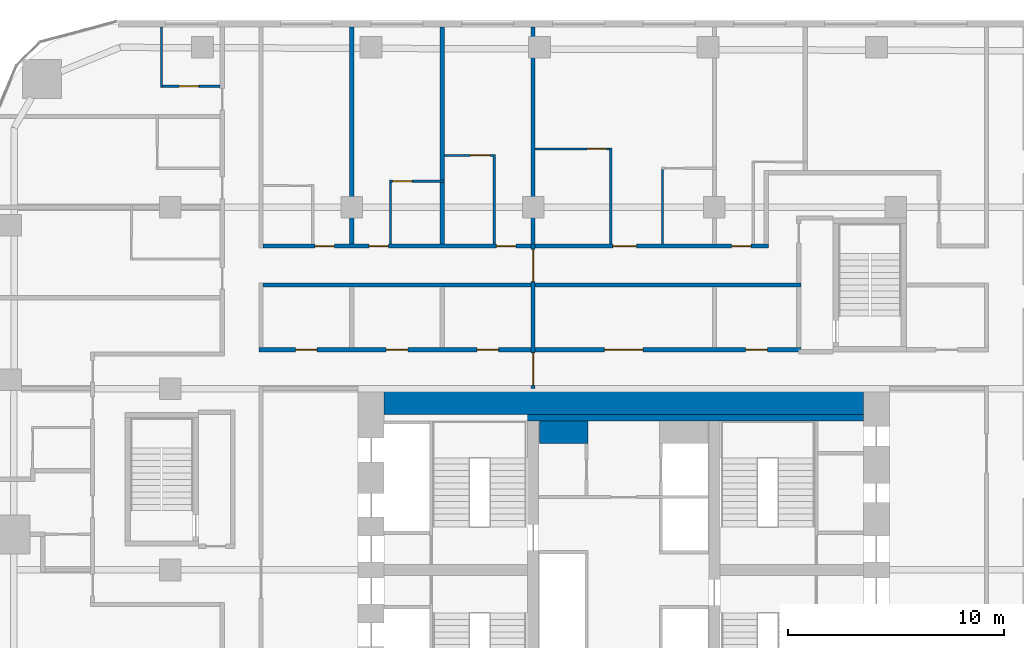
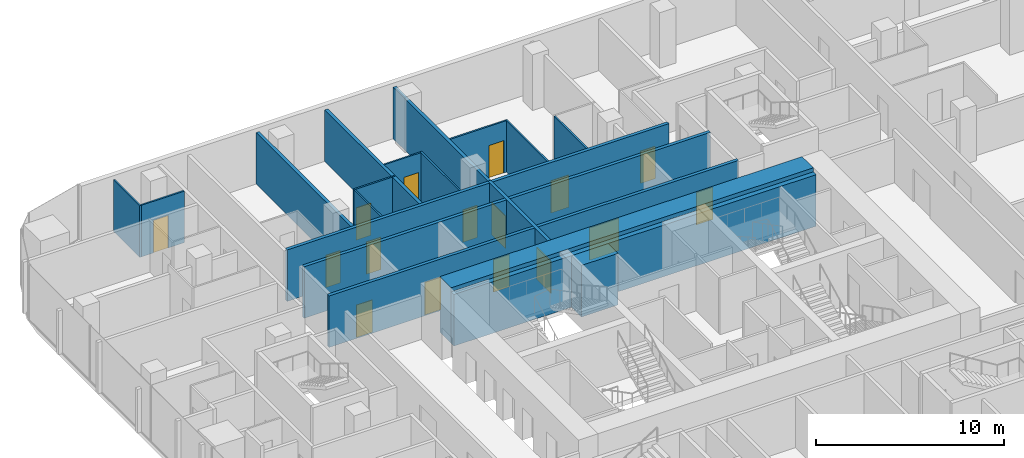
# One storey, part 22 of 26: 19 walls, 16 doors, 16 openings.
"""IFC4 building model written with IfcOpenShell, lengths in metres."""

from ifc_helpers import new_model, si_unit, direction, frame, frame_2d, origin, place, context, subcontext, project, spatial, rectangle, extrude, material, layer, layer_set, type_object, element, fill, save


model = new_model("IFC4")

# Units and contexts
model_context = context("Model", 3, precision=1e-05, world=origin(), true_north=direction((0.0, 1.0)))
body_context = subcontext(model_context, "Body", "Model", "MODEL_VIEW")
ifc_project = project(units=[si_unit("LENGTHUNIT", "METRE"), si_unit("AREAUNIT", "SQUARE_METRE"), si_unit("VOLUMEUNIT", "CUBIC_METRE"), si_unit("PLANEANGLEUNIT", "RADIAN"), si_unit("MASSUNIT", "GRAM", prefix="KILO")], contexts=[model_context])

# Site, building, storey
site_placement = place(None, origin())
site = spatial("IfcSite", under=ifc_project, at=site_placement, CompositionType="ELEMENT")
building_placement = place(site_placement, origin())
building = spatial("IfcBuilding", under=site, at=building_placement, Name="Marenta Gate Hotel Tower", CompositionType="ELEMENT")
storey_placement = place(building_placement, frame((0.0, 0.0, 58.10009765625)))
storey = spatial("IfcBuildingStorey", under=building, at=storey_placement, Name="L12", CompositionType="ELEMENT", Elevation=58.10009765625)

# Wall, openings, doors
ifc_material_1 = material(Name="Concrete blockwork", Category="masonry")
ifc_layer_1 = layer(ifc_material_1, 0.199951171875)
ifc_layer_set_1 = layer_set([ifc_layer_1], Name="Concrete blockwork")
wall_type_1 = type_object("IfcWallType", Name="Compartment wall 200 REI 180", PredefinedType="PARTITIONING", material=ifc_layer_set_1)
wall_1_placement = place(storey_placement, frame((-4.199951171875, 16.800048828125, 0.0), z_axis=(0.0, 0.0, 1.0), x_axis=(0.0, 1.0, 0.0)))
wall_1 = element("IfcWall", 1, at=wall_1_placement, inside=storey, type_object=wall_type_1, Name="L12-PTN-W077", PredefinedType="PARTITIONING", context=body_context, shape_type="SweptSolid", body=[
    extrude(rectangle(XDim=6.699951171875, YDim=0.199951171875, at=frame_2d((3.35009765625, 0.0))), origin(), (0.0, 0.0, 1.0), 3.33984375),
])
opening_1_placement = place(wall_1_placement, frame((0.14990234375, 0.0, 0.0)))
opening_1 = element("IfcOpeningElement", 2, at=opening_1_placement, cuts=wall_1, Name="Opening G04-FD1", PredefinedType="OPENING", context=body_context, shape_type="SweptSolid", body=[
    extrude(rectangle(XDim=1.5, YDim=2.10009765625, at=frame_2d((0.75, 1.050048828125))), frame((0.0, 0.10009765625, 0.0), z_axis=(0.0, -1.0, 0.0), x_axis=(1.0, 0.0, 0.0)), (0.0, 0.0, 1.0), 0.199951171875),
])
opening_2_placement = place(wall_1_placement, frame((4.949951171875, 0.0, 0.0)))
opening_2 = element("IfcOpeningElement", 3, at=opening_2_placement, cuts=wall_1, Name="Opening G04-FD2", PredefinedType="OPENING", context=body_context, shape_type="SweptSolid", body=[
    extrude(rectangle(XDim=1.5, YDim=2.10009765625, at=frame_2d((0.75, 1.050048828125))), frame((0.0, 0.10009765625, 0.0), z_axis=(0.0, -1.0, 0.0), x_axis=(1.0, 0.0, 0.0)), (0.0, 0.0, 1.0), 0.199951171875),
])
ifc_material_2 = material(Name="Hollow steel door set", Category="steel")
door_type_1 = type_object("IfcDoorType", Name="Compartment fire door 1500x2100 EI 60", OperationType="DOUBLE_DOOR_DOUBLE_SWING", PredefinedType="DOOR", material=ifc_material_2)
door_1_placement = place(opening_1_placement, origin())
door_1 = element("IfcDoor", 4, at=door_1_placement, inside=storey, type_object=door_type_1, Name="L12-PD-FD01", OperationType="DOUBLE_DOOR_DOUBLE_SWING", OverallHeight=2.10009765625, OverallWidth=1.5, PredefinedType="DOOR", context=body_context, shape_type="SweptSolid", body=[
    extrude(rectangle(XDim=1.5, YDim=2.10009765625, at=frame_2d((0.75, 1.050048828125))), frame((0.0, 0.02490234375, 0.0), z_axis=(0.0, -1.0, 0.0), x_axis=(1.0, 0.0, 0.0)), (0.0, 0.0, 1.0), 0.050048828125),
])
fill(opening_1, door_1)
door_2_placement = place(opening_2_placement, origin())
door_2 = element("IfcDoor", 5, at=door_2_placement, inside=storey, type_object=door_type_1, Name="L12-PD-FD02", OperationType="DOUBLE_DOOR_DOUBLE_SWING", OverallHeight=2.10009765625, OverallWidth=1.5, PredefinedType="DOOR", context=body_context, shape_type="SweptSolid", body=[
    extrude(rectangle(XDim=1.5, YDim=2.10009765625, at=frame_2d((0.75, 1.050048828125))), frame((0.0, 0.02490234375, 0.0), z_axis=(0.0, -1.0, 0.0), x_axis=(1.0, 0.0, 0.0)), (0.0, 0.0, 1.0), 0.050048828125),
])
fill(opening_2, door_2)

# Walls
wall_2_placement = place(storey_placement, frame((-4.199951171875, 23.5, 0.0), z_axis=(0.0, 0.0, 1.0), x_axis=(0.0, 1.0, 0.0)))
element("IfcWall", 6, at=wall_2_placement, inside=storey, type_object=wall_type_1, Name="L12-PTN-W078", PredefinedType="PARTITIONING", context=body_context, shape_type="SweptSolid", body=[
    extrude(rectangle(XDim=10.0400390625, YDim=0.199951171875, at=frame_2d((5.02001953125, 0.0))), origin(), (0.0, 0.0, 1.0), 3.33984375),
])
ifc_material_3 = material(Name="Concrete C40", Category="concrete")
ifc_layer_2 = layer(ifc_material_3, 0.300048828125)
ifc_layer_set_2 = layer_set([ifc_layer_2], Name="Concrete C40")
wall_type_2 = type_object("IfcWallType", Name="Core lining wall 300 REI 180", PredefinedType="PARTITIONING", material=ifc_layer_set_2)
wall_3_placement = place(storey_placement, frame((-11.10009765625, 15.449951171875, 0.0), z_axis=(0.0, 0.0, 1.0), x_axis=(1.0, 0.0, 0.0)))
element("IfcWall", 7, at=wall_3_placement, inside=storey, type_object=wall_type_2, Name="L12-CP-LN-N", PredefinedType="PARTITIONING", context=body_context, shape_type="SweptSolid", body=[
    extrude(rectangle(XDim=22.2001953125, YDim=0.300048828125, at=frame_2d((11.10009765625, 0.0))), origin(), (0.0, 0.0, 1.0), 3.33984375),
])
ifc_material_4 = material(Name="Concrete blockwork", Category="masonry")
ifc_layer_3 = layer(ifc_material_4, 1.050048828125)
ifc_layer_set_3 = layer_set([ifc_layer_3], Name="Concrete blockwork")
wall_type_3 = type_object("IfcWallType", Name="Core room partition 1050 REI 180", PredefinedType="PARTITIONING", material=ifc_layer_set_3)
wall_4_placement = place(storey_placement, frame((-3.89990234375, 14.77490234375, 0.0), z_axis=(0.0, 0.0, 1.0), x_axis=(1.0, 0.0, 0.0)))
element("IfcWall", 8, at=wall_4_placement, inside=storey, type_object=wall_type_3, Name="L12-CP-CW-W-riser-N", PredefinedType="PARTITIONING", context=body_context, shape_type="SweptSolid", body=[
    extrude(rectangle(XDim=2.25, YDim=1.050048828125, at=frame_2d((1.125, 0.0))), origin(), (0.0, 0.0, 1.0), 3.33984375),
])
ifc_material_5 = material(Name="Concrete C80", Category="concrete")
ifc_layer_4 = layer(ifc_material_5, 1.199951171875)
ifc_layer_set_4 = layer_set([ifc_layer_4], Name="Concrete C80")
wall_type_4 = type_object("IfcWallType", Name="Core wall 1200 C80", PredefinedType="SHEAR", material=ifc_layer_set_4)
wall_5_placement = place(storey_placement, frame((-11.10009765625, 16.199951171875, 0.0), z_axis=(0.0, 0.0, 1.0), x_axis=(1.0, 0.0, 0.0)))
element("IfcWall", 9, at=wall_5_placement, inside=storey, type_object=wall_type_4, Name="L12-CORE-N", PredefinedType="SHEAR", context=body_context, shape_type="SweptSolid", body=[
    extrude(rectangle(XDim=22.2001953125, YDim=1.199951171875, at=frame_2d((11.10009765625, 0.0))), origin(), (0.0, 0.0, 1.0), 3.599853515625),
])

# Wall, openings, doors
ifc_material_6 = material(Name="Concrete blockwork", Category="masonry")
ifc_layer_5 = layer(ifc_material_6, 0.199951171875)
ifc_layer_set_5 = layer_set([ifc_layer_5], Name="Concrete blockwork")
wall_type_5 = type_object("IfcWallType", Name="Room corridor wall 200 EI 120", PredefinedType="PARTITIONING", material=ifc_layer_set_5)
wall_6_placement = place(storey_placement, frame((-16.89990234375, 18.60009765625, 0.0), z_axis=(0.0, 0.0, 1.0), x_axis=(1.0, 0.0, 0.0)))
wall_6 = element("IfcWall", 10, at=wall_6_placement, inside=storey, type_object=wall_type_5, Name="L12-PTN-W120", PredefinedType="PARTITIONING", context=body_context, shape_type="SweptSolid", body=[
    extrude(rectangle(XDim=25.099853515625, YDim=0.199951171875, at=frame_2d((12.5498046875, 0.0))), origin(), (0.0, 0.0, 1.0), 3.33984375),
])
opening_3_placement = place(wall_6_placement, frame((1.699951171875, 0.0, 0.0)))
opening_3 = element("IfcOpeningElement", 11, at=opening_3_placement, cuts=wall_6, Name="Opening G04-01", PredefinedType="OPENING", context=body_context, shape_type="SweptSolid", body=[
    extrude(rectangle(XDim=1.0, YDim=2.10009765625, at=frame_2d((0.5, 1.050048828125))), frame((0.0, 0.10009765625, 0.0), z_axis=(0.0, -1.0, 0.0), x_axis=(1.0, 0.0, 0.0)), (0.0, 0.0, 1.0), 0.199951171875),
])
opening_4_placement = place(wall_6_placement, frame((16.0, 0.0, 0.0)))
opening_4 = element("IfcOpeningElement", 12, at=opening_4_placement, cuts=wall_6, Name="Opening G04-02", PredefinedType="OPENING", context=body_context, shape_type="SweptSolid", body=[
    extrude(rectangle(XDim=1.800048828125, YDim=2.10009765625, at=frame_2d((0.89990234375, 1.050048828125))), frame((0.0, 0.10009765625, 0.0), z_axis=(0.0, -1.0, 0.0), x_axis=(1.0, 0.0, 0.0)), (0.0, 0.0, 1.0), 0.199951171875),
])
opening_5_placement = place(wall_6_placement, frame((22.550048828125, 0.0, 0.0)))
opening_5 = element("IfcOpeningElement", 13, at=opening_5_placement, cuts=wall_6, Name="Opening G04-03", PredefinedType="OPENING", context=body_context, shape_type="SweptSolid", body=[
    extrude(rectangle(XDim=1.0, YDim=2.10009765625, at=frame_2d((0.5, 1.050048828125))), frame((0.0, 0.10009765625, 0.0), z_axis=(0.0, -1.0, 0.0), x_axis=(1.0, 0.0, 0.0)), (0.0, 0.0, 1.0), 0.199951171875),
])
opening_6_placement = place(wall_6_placement, frame((5.89990234375, 0.0, 0.0)))
opening_6 = element("IfcOpeningElement", 14, at=opening_6_placement, cuts=wall_6, Name="Opening G04-78", PredefinedType="OPENING", context=body_context, shape_type="SweptSolid", body=[
    extrude(rectangle(XDim=1.0, YDim=2.10009765625, at=frame_2d((0.5, 1.050048828125))), frame((0.0, 0.10009765625, 0.0), z_axis=(0.0, -1.0, 0.0), x_axis=(1.0, 0.0, 0.0)), (0.0, 0.0, 1.0), 0.199951171875),
])
opening_7_placement = place(wall_6_placement, frame((10.10009765625, 0.0, 0.0)))
opening_7 = element("IfcOpeningElement", 15, at=opening_7_placement, cuts=wall_6, Name="Opening G04-79", PredefinedType="OPENING", context=body_context, shape_type="SweptSolid", body=[
    extrude(rectangle(XDim=1.0, YDim=2.10009765625, at=frame_2d((0.5, 1.050048828125))), frame((0.0, 0.10009765625, 0.0), z_axis=(0.0, -1.0, 0.0), x_axis=(1.0, 0.0, 0.0)), (0.0, 0.0, 1.0), 0.199951171875),
])
ifc_material_7 = material(Name="Timber door leaf", Category="wood")
door_type_2 = type_object("IfcDoorType", Name="Room amenity door 1000x2100 EI 60", OperationType="NOTDEFINED", PredefinedType="DOOR", material=ifc_material_7)
door_3_placement = place(opening_5_placement, origin())
door_3 = element("IfcDoor", 16, at=door_3_placement, inside=storey, type_object=door_type_2, Name="L12-PD-D003", OperationType="SINGLE_SWING_LEFT", OverallHeight=2.10009765625, OverallWidth=1.0, PredefinedType="DOOR", context=body_context, shape_type="SweptSolid", body=[
    extrude(rectangle(XDim=1.0, YDim=2.10009765625, at=frame_2d((0.5, 1.050048828125))), frame((0.0, 0.02490234375, 0.0), z_axis=(0.0, -1.0, 0.0), x_axis=(1.0, 0.0, 0.0)), (0.0, 0.0, 1.0), 0.050048828125),
])
fill(opening_5, door_3)
door_4_placement = place(opening_6_placement, origin())
door_4 = element("IfcDoor", 17, at=door_4_placement, inside=storey, type_object=door_type_2, Name="L12-PD-D078", OperationType="SINGLE_SWING_RIGHT", OverallHeight=2.10009765625, OverallWidth=1.0, PredefinedType="DOOR", context=body_context, shape_type="SweptSolid", body=[
    extrude(rectangle(XDim=1.0, YDim=2.10009765625, at=frame_2d((0.5, 1.050048828125))), frame((0.0, 0.02490234375, 0.0), z_axis=(0.0, -1.0, 0.0), x_axis=(1.0, 0.0, 0.0)), (0.0, 0.0, 1.0), 0.050048828125),
])
fill(opening_6, door_4)
door_5_placement = place(opening_7_placement, origin())
door_5 = element("IfcDoor", 18, at=door_5_placement, inside=storey, type_object=door_type_2, Name="L12-PD-D079", OperationType="SINGLE_SWING_LEFT", OverallHeight=2.10009765625, OverallWidth=1.0, PredefinedType="DOOR", context=body_context, shape_type="SweptSolid", body=[
    extrude(rectangle(XDim=1.0, YDim=2.10009765625, at=frame_2d((0.5, 1.050048828125))), frame((0.0, 0.02490234375, 0.0), z_axis=(0.0, -1.0, 0.0), x_axis=(1.0, 0.0, 0.0)), (0.0, 0.0, 1.0), 0.050048828125),
])
fill(opening_7, door_5)
ifc_material_8 = material(Name="Timber door leaf", Category="wood")
door_type_3 = type_object("IfcDoorType", Name="Room amenity door 1800x2100 EI 60", OperationType="DOUBLE_DOOR_SINGLE_SWING", PredefinedType="DOOR", material=ifc_material_8)
door_6_placement = place(opening_4_placement, origin())
door_6 = element("IfcDoor", 19, at=door_6_placement, inside=storey, type_object=door_type_3, Name="L12-PD-D002", OperationType="DOUBLE_DOOR_SINGLE_SWING", OverallHeight=2.10009765625, OverallWidth=1.800048828125, PredefinedType="DOOR", context=body_context, shape_type="SweptSolid", body=[
    extrude(rectangle(XDim=1.800048828125, YDim=2.10009765625, at=frame_2d((0.89990234375, 1.050048828125))), frame((0.0, 0.02490234375, 0.0), z_axis=(0.0, -1.0, 0.0), x_axis=(1.0, 0.0, 0.0)), (0.0, 0.0, 1.0), 0.050048828125),
])
fill(opening_4, door_6)
ifc_material_9 = material(Name="Hollow steel door set", Category="steel")
door_type_4 = type_object("IfcDoorType", Name="Room service door 1000x2100 EI 60", OperationType="NOTDEFINED", PredefinedType="DOOR", material=ifc_material_9)
door_7_placement = place(opening_3_placement, origin())
door_7 = element("IfcDoor", 20, at=door_7_placement, inside=storey, type_object=door_type_4, Name="L12-PD-D001", OperationType="SINGLE_SWING_RIGHT", OverallHeight=2.10009765625, OverallWidth=1.0, PredefinedType="DOOR", context=body_context, shape_type="SweptSolid", body=[
    extrude(rectangle(XDim=1.0, YDim=2.10009765625, at=frame_2d((0.5, 1.050048828125))), frame((0.0, 0.02490234375, 0.0), z_axis=(0.0, -1.0, 0.0), x_axis=(1.0, 0.0, 0.0)), (0.0, 0.0, 1.0), 0.050048828125),
])
fill(opening_3, door_7)

# Wall
wall_7_placement = place(storey_placement, frame((-16.699951171875, 21.60009765625, 0.0), z_axis=(0.0, 0.0, 1.0), x_axis=(1.0, 0.0, 0.0)))
element("IfcWall", 21, at=wall_7_placement, inside=storey, type_object=wall_type_5, Name="L12-PTN-W127", PredefinedType="PARTITIONING", context=body_context, shape_type="SweptSolid", body=[
    extrude(rectangle(XDim=24.89990234375, YDim=0.199951171875, at=frame_2d((12.449951171875, 0.0))), origin(), (0.0, 0.0, 1.0), 3.33984375),
])

# Wall, openings, doors
ifc_material_10 = material(Name="Gypsum board on steel stud", Category="steel")
ifc_layer_6 = layer(ifc_material_10, 0.199951171875)
ifc_layer_set_6 = layer_set([ifc_layer_6], Name="Gypsum board on steel stud")
wall_type_6 = type_object("IfcWallType", Name="Room corridor wall 200 EI 60", PredefinedType="PARTITIONING", material=ifc_layer_set_6)
wall_8_placement = place(storey_placement, frame((-16.699951171875, 23.39990234375, 0.0), z_axis=(0.0, 0.0, 1.0), x_axis=(1.0, 0.0, 0.0)))
wall_8 = element("IfcWall", 22, at=wall_8_placement, inside=storey, type_object=wall_type_6, Name="L12-PTN-W135", PredefinedType="PARTITIONING", context=body_context, shape_type="SweptSolid", body=[
    extrude(rectangle(XDim=23.39990234375, YDim=0.199951171875, at=frame_2d((11.699951171875, 0.0))), origin(), (0.0, 0.0, 1.0), 3.33984375),
])
opening_8_placement = place(wall_8_placement, frame((2.39990234375, 0.0, 0.0)))
opening_8 = element("IfcOpeningElement", 23, at=opening_8_placement, cuts=wall_8, Name="Opening G04-29", PredefinedType="OPENING", context=body_context, shape_type="SweptSolid", body=[
    extrude(rectangle(XDim=0.89990234375, YDim=2.10009765625, at=frame_2d((0.449951171875, 1.050048828125))), frame((0.0, 0.10009765625, 0.0), z_axis=(0.0, -1.0, 0.0), x_axis=(1.0, 0.0, 0.0)), (0.0, 0.0, 1.0), 0.199951171875),
])
opening_9_placement = place(wall_8_placement, frame((4.89990234375, 0.0, 0.0)))
opening_9 = element("IfcOpeningElement", 24, at=opening_9_placement, cuts=wall_8, Name="Opening G04-31", PredefinedType="OPENING", context=body_context, shape_type="SweptSolid", body=[
    extrude(rectangle(XDim=0.89990234375, YDim=2.10009765625, at=frame_2d((0.449951171875, 1.050048828125))), frame((0.0, 0.10009765625, 0.0), z_axis=(0.0, -1.0, 0.0), x_axis=(1.0, 0.0, 0.0)), (0.0, 0.0, 1.0), 0.199951171875),
])
opening_10_placement = place(wall_8_placement, frame((10.800048828125, 0.0, 0.0)))
opening_10 = element("IfcOpeningElement", 25, at=opening_10_placement, cuts=wall_8, Name="Opening G04-33", PredefinedType="OPENING", context=body_context, shape_type="SweptSolid", body=[
    extrude(rectangle(XDim=0.89990234375, YDim=2.10009765625, at=frame_2d((0.449951171875, 1.050048828125))), frame((0.0, 0.10009765625, 0.0), z_axis=(0.0, -1.0, 0.0), x_axis=(1.0, 0.0, 0.0)), (0.0, 0.0, 1.0), 0.199951171875),
])
opening_11_placement = place(wall_8_placement, frame((16.199951171875, 0.0, 0.0)))
opening_11 = element("IfcOpeningElement", 26, at=opening_11_placement, cuts=wall_8, Name="Opening G04-35", PredefinedType="OPENING", context=body_context, shape_type="SweptSolid", body=[
    extrude(rectangle(XDim=1.10009765625, YDim=2.10009765625, at=frame_2d((0.550048828125, 1.050048828125))), frame((0.0, 0.10009765625, 0.0), z_axis=(0.0, -1.0, 0.0), x_axis=(1.0, 0.0, 0.0)), (0.0, 0.0, 1.0), 0.199951171875),
])
opening_12_placement = place(wall_8_placement, frame((21.699951171875, 0.0, 0.0)))
opening_12 = element("IfcOpeningElement", 27, at=opening_12_placement, cuts=wall_8, Name="Opening G04-38", PredefinedType="OPENING", context=body_context, shape_type="SweptSolid", body=[
    extrude(rectangle(XDim=0.89990234375, YDim=2.10009765625, at=frame_2d((0.449951171875, 1.050048828125))), frame((0.0, 0.10009765625, 0.0), z_axis=(0.0, -1.0, 0.0), x_axis=(1.0, 0.0, 0.0)), (0.0, 0.0, 1.0), 0.199951171875),
])
ifc_material_11 = material(Name="Timber door leaf", Category="wood")
door_type_5 = type_object("IfcDoorType", Name="Guest room door 1100x2100 EI 30", OperationType="NOTDEFINED", PredefinedType="DOOR", material=ifc_material_11)
door_8_placement = place(opening_11_placement, origin())
door_8 = element("IfcDoor", 28, at=door_8_placement, inside=storey, type_object=door_type_5, Name="L12-PD-D035", OperationType="SINGLE_SWING_LEFT", OverallHeight=2.10009765625, OverallWidth=1.10009765625, PredefinedType="DOOR", context=body_context, shape_type="SweptSolid", body=[
    extrude(rectangle(XDim=1.10009765625, YDim=2.10009765625, at=frame_2d((0.550048828125, 1.050048828125))), frame((0.0, 0.02490234375, 0.0), z_axis=(0.0, -1.0, 0.0), x_axis=(1.0, 0.0, 0.0)), (0.0, 0.0, 1.0), 0.050048828125),
])
fill(opening_11, door_8)
ifc_material_12 = material(Name="Timber door leaf", Category="wood")
door_type_6 = type_object("IfcDoorType", Name="Guest room door 900x2100 EI 30", OperationType="NOTDEFINED", PredefinedType="DOOR", material=ifc_material_12)
door_9_placement = place(opening_8_placement, origin())
door_9 = element("IfcDoor", 29, at=door_9_placement, inside=storey, type_object=door_type_6, Name="L12-PD-D029", OperationType="SINGLE_SWING_LEFT", OverallHeight=2.10009765625, OverallWidth=0.89990234375, PredefinedType="DOOR", context=body_context, shape_type="SweptSolid", body=[
    extrude(rectangle(XDim=0.89990234375, YDim=2.10009765625, at=frame_2d((0.449951171875, 1.050048828125))), frame((0.0, 0.02490234375, 0.0), z_axis=(0.0, -1.0, 0.0), x_axis=(1.0, 0.0, 0.0)), (0.0, 0.0, 1.0), 0.050048828125),
])
fill(opening_8, door_9)
door_10_placement = place(opening_9_placement, origin())
door_10 = element("IfcDoor", 30, at=door_10_placement, inside=storey, type_object=door_type_6, Name="L12-PD-D031", OperationType="SINGLE_SWING_RIGHT", OverallHeight=2.10009765625, OverallWidth=0.89990234375, PredefinedType="DOOR", context=body_context, shape_type="SweptSolid", body=[
    extrude(rectangle(XDim=0.89990234375, YDim=2.10009765625, at=frame_2d((0.449951171875, 1.050048828125))), frame((0.0, 0.02490234375, 0.0), z_axis=(0.0, -1.0, 0.0), x_axis=(1.0, 0.0, 0.0)), (0.0, 0.0, 1.0), 0.050048828125),
])
fill(opening_9, door_10)
door_11_placement = place(opening_10_placement, origin())
door_11 = element("IfcDoor", 31, at=door_11_placement, inside=storey, type_object=door_type_6, Name="L12-PD-D033", OperationType="SINGLE_SWING_LEFT", OverallHeight=2.10009765625, OverallWidth=0.89990234375, PredefinedType="DOOR", context=body_context, shape_type="SweptSolid", body=[
    extrude(rectangle(XDim=0.89990234375, YDim=2.10009765625, at=frame_2d((0.449951171875, 1.050048828125))), frame((0.0, 0.02490234375, 0.0), z_axis=(0.0, -1.0, 0.0), x_axis=(1.0, 0.0, 0.0)), (0.0, 0.0, 1.0), 0.050048828125),
])
fill(opening_10, door_11)
door_12_placement = place(opening_12_placement, origin())
door_12 = element("IfcDoor", 32, at=door_12_placement, inside=storey, type_object=door_type_6, Name="L12-PD-D038", OperationType="SINGLE_SWING_RIGHT", OverallHeight=2.10009765625, OverallWidth=0.89990234375, PredefinedType="DOOR", context=body_context, shape_type="SweptSolid", body=[
    extrude(rectangle(XDim=0.89990234375, YDim=2.10009765625, at=frame_2d((0.449951171875, 1.050048828125))), frame((0.0, 0.02490234375, 0.0), z_axis=(0.0, -1.0, 0.0), x_axis=(1.0, 0.0, 0.0)), (0.0, 0.0, 1.0), 0.050048828125),
])
fill(opening_12, door_12)

# Walls
ifc_material_13 = material(Name="Gypsum board on steel stud", Category="steel")
ifc_layer_7 = layer(ifc_material_13, 0.10009765625)
ifc_layer_set_7 = layer_set([ifc_layer_7], Name="Gypsum board on steel stud")
wall_type_7 = type_object("IfcWallType", Name="Room partition 100", PredefinedType="PARTITIONING", material=ifc_layer_set_7)
wall_9_placement = place(storey_placement, frame((1.800048828125, 23.5, 0.0), z_axis=(0.0, 0.0, 1.0), x_axis=(0.0, 1.0, 0.0)))
element("IfcWall", 33, at=wall_9_placement, inside=storey, type_object=wall_type_7, Name="L12-PTN-W060", PredefinedType="PARTITIONING", context=body_context, shape_type="SweptSolid", body=[
    extrude(rectangle(XDim=3.449951171875, YDim=0.10009765625, at=frame_2d((1.72509765625, 0.0))), origin(), (0.0, 0.0, 1.0), 3.33984375),
])
wall_10_placement = place(storey_placement, frame((-0.60009765625, 23.5, 0.0), z_axis=(0.0, 0.0, 1.0), x_axis=(0.0, 1.0, 0.0)))
element("IfcWall", 34, at=wall_10_placement, inside=storey, type_object=wall_type_7, Name="L12-PTN-W071", PredefinedType="PARTITIONING", context=body_context, shape_type="SweptSolid", body=[
    extrude(rectangle(XDim=4.449951171875, YDim=0.10009765625, at=frame_2d((2.22509765625, 0.0))), origin(), (0.0, 0.0, 1.0), 3.33984375),
])
wall_11_placement = place(storey_placement, frame((-6.0, 23.5, 0.0), z_axis=(0.0, 0.0, 1.0), x_axis=(0.0, 1.0, 0.0)))
element("IfcWall", 35, at=wall_11_placement, inside=storey, type_object=wall_type_7, Name="L12-PTN-W082", PredefinedType="PARTITIONING", context=body_context, shape_type="SweptSolid", body=[
    extrude(rectangle(XDim=4.14990234375, YDim=0.10009765625, at=frame_2d((2.074951171875, 0.0))), origin(), (0.0, 0.0, 1.0), 3.33984375),
])
wall_12_placement = place(storey_placement, frame((-10.800048828125, 23.5, 0.0), z_axis=(0.0, 0.0, 1.0), x_axis=(0.0, 1.0, 0.0)))
element("IfcWall", 36, at=wall_12_placement, inside=storey, type_object=wall_type_7, Name="L12-PTN-W096", PredefinedType="PARTITIONING", context=body_context, shape_type="SweptSolid", body=[
    extrude(rectangle(XDim=2.85009765625, YDim=0.10009765625, at=frame_2d((1.425048828125, 0.0))), origin(), (0.0, 0.0, 1.0), 3.33984375),
])
wall_13_placement = place(storey_placement, frame((-21.39990234375, 30.75, 0.0), z_axis=(0.0, 0.0, 1.0), x_axis=(0.0, 1.0, 0.0)))
element("IfcWall", 37, at=wall_13_placement, inside=storey, type_object=wall_type_7, Name="L12-PTN-W125", PredefinedType="PARTITIONING", context=body_context, shape_type="SweptSolid", body=[
    extrude(rectangle(XDim=2.7900390625, YDim=0.10009765625, at=frame_2d((1.39501953125, 0.0))), origin(), (0.0, 0.0, 1.0), 3.33984375),
])

# Wall, opening, door
wall_14_placement = place(storey_placement, frame((-10.85009765625, 26.39990234375, 0.0), z_axis=(0.0, 0.0, 1.0), x_axis=(1.0, 0.0, 0.0)))
wall_14 = element("IfcWall", 38, at=wall_14_placement, inside=storey, type_object=wall_type_7, Name="L12-PTN-W142", PredefinedType="PARTITIONING", context=body_context, shape_type="SweptSolid", body=[
    extrude(rectangle(XDim=2.550048828125, YDim=0.10009765625, at=frame_2d((1.27490234375, 0.0))), origin(), (0.0, 0.0, 1.0), 3.33984375),
])
opening_13_placement = place(wall_14_placement, frame((0.14990234375, 0.0, 0.0)))
opening_13 = element("IfcOpeningElement", 39, at=opening_13_placement, cuts=wall_14, Name="Opening G04-32", PredefinedType="OPENING", context=body_context, shape_type="SweptSolid", body=[
    extrude(rectangle(XDim=0.89990234375, YDim=2.10009765625, at=frame_2d((0.449951171875, 1.050048828125))), frame((0.0, 0.050048828125, 0.0), z_axis=(0.0, -1.0, 0.0), x_axis=(1.0, 0.0, 0.0)), (0.0, 0.0, 1.0), 0.10009765625),
])
ifc_material_14 = material(Name="Timber door leaf", Category="wood")
door_type_7 = type_object("IfcDoorType", Name="Guest bathroom door 900x2100", OperationType="NOTDEFINED", PredefinedType="DOOR", material=ifc_material_14)
door_13_placement = place(opening_13_placement, origin())
door_13 = element("IfcDoor", 40, at=door_13_placement, inside=storey, type_object=door_type_7, Name="L12-PD-D032", OperationType="SINGLE_SWING_RIGHT", OverallHeight=2.10009765625, OverallWidth=0.89990234375, PredefinedType="DOOR", context=body_context, shape_type="SweptSolid", body=[
    extrude(rectangle(XDim=0.89990234375, YDim=2.10009765625, at=frame_2d((0.449951171875, 1.050048828125))), frame((0.0, 0.02490234375, 0.0), z_axis=(0.0, -1.0, 0.0), x_axis=(1.0, 0.0, 0.0)), (0.0, 0.0, 1.0), 0.050048828125),
])
fill(opening_13, door_13)

wall_15_placement = place(storey_placement, frame((-8.300048828125, 27.60009765625, 0.0), z_axis=(0.0, 0.0, 1.0), x_axis=(1.0, 0.0, 0.0)))
wall_15 = element("IfcWall", 41, at=wall_15_placement, inside=storey, type_object=wall_type_7, Name="L12-PTN-W150", PredefinedType="PARTITIONING", context=body_context, shape_type="SweptSolid", body=[
    extrude(rectangle(XDim=2.25, YDim=0.10009765625, at=frame_2d((1.125, 0.0))), origin(), (0.0, 0.0, 1.0), 3.33984375),
])
opening_14_placement = place(wall_15_placement, frame((1.199951171875, 0.0, 0.0)))
opening_14 = element("IfcOpeningElement", 42, at=opening_14_placement, cuts=wall_15, Name="Opening G04-34", PredefinedType="OPENING", context=body_context, shape_type="SweptSolid", body=[
    extrude(rectangle(XDim=0.89990234375, YDim=2.10009765625, at=frame_2d((0.449951171875, 1.050048828125))), frame((0.0, 0.050048828125, 0.0), z_axis=(0.0, -1.0, 0.0), x_axis=(1.0, 0.0, 0.0)), (0.0, 0.0, 1.0), 0.10009765625),
])
door_14_placement = place(opening_14_placement, origin())
door_14 = element("IfcDoor", 43, at=door_14_placement, inside=storey, type_object=door_type_7, Name="L12-PD-D034", OperationType="SINGLE_SWING_LEFT", OverallHeight=2.10009765625, OverallWidth=0.89990234375, PredefinedType="DOOR", context=body_context, shape_type="SweptSolid", body=[
    extrude(rectangle(XDim=0.89990234375, YDim=2.10009765625, at=frame_2d((0.449951171875, 1.050048828125))), frame((0.0, 0.02490234375, 0.0), z_axis=(0.0, -1.0, 0.0), x_axis=(1.0, 0.0, 0.0)), (0.0, 0.0, 1.0), 0.050048828125),
])
fill(opening_14, door_14)

wall_16_placement = place(storey_placement, frame((-4.10009765625, 27.89990234375, 0.0), z_axis=(0.0, 0.0, 1.0), x_axis=(1.0, 0.0, 0.0)))
wall_16 = element("IfcWall", 44, at=wall_16_placement, inside=storey, type_object=wall_type_7, Name="L12-PTN-W151", PredefinedType="PARTITIONING", context=body_context, shape_type="SweptSolid", body=[
    extrude(rectangle(XDim=3.4501953125, YDim=0.10009765625, at=frame_2d((1.72509765625, 0.0))), origin(), (0.0, 0.0, 1.0), 3.33984375),
])
opening_15_placement = place(wall_16_placement, frame((2.39990234375, 0.0, 0.0)))
opening_15 = element("IfcOpeningElement", 45, at=opening_15_placement, cuts=wall_16, Name="Opening G04-36", PredefinedType="OPENING", context=body_context, shape_type="SweptSolid", body=[
    extrude(rectangle(XDim=0.89990234375, YDim=2.10009765625, at=frame_2d((0.449951171875, 1.050048828125))), frame((0.0, 0.050048828125, 0.0), z_axis=(0.0, -1.0, 0.0), x_axis=(1.0, 0.0, 0.0)), (0.0, 0.0, 1.0), 0.10009765625),
])
door_15_placement = place(opening_15_placement, origin())
door_15 = element("IfcDoor", 46, at=door_15_placement, inside=storey, type_object=door_type_7, Name="L12-PD-D036", OperationType="SINGLE_SWING_LEFT", OverallHeight=2.10009765625, OverallWidth=0.89990234375, PredefinedType="DOOR", context=body_context, shape_type="SweptSolid", body=[
    extrude(rectangle(XDim=0.89990234375, YDim=2.10009765625, at=frame_2d((0.449951171875, 1.050048828125))), frame((0.0, 0.02490234375, 0.0), z_axis=(0.0, -1.0, 0.0), x_axis=(1.0, 0.0, 0.0)), (0.0, 0.0, 1.0), 0.050048828125),
])
fill(opening_15, door_15)

wall_17_placement = place(storey_placement, frame((-21.35009765625, 30.800048828125, 0.0), z_axis=(0.0, 0.0, 1.0), x_axis=(1.0, 0.0, 0.0)))
wall_17 = element("IfcWall", 47, at=wall_17_placement, inside=storey, type_object=wall_type_7, Name="L12-PTN-W154", PredefinedType="PARTITIONING", context=body_context, shape_type="SweptSolid", body=[
    extrude(rectangle(XDim=2.650146484375, YDim=0.10009765625, at=frame_2d((1.3251953125, 0.0))), origin(), (0.0, 0.0, 1.0), 3.33984375),
])
opening_16_placement = place(wall_17_placement, frame((0.760009765625, 0.0, 0.0)))
opening_16 = element("IfcOpeningElement", 48, at=opening_16_placement, cuts=wall_17, Name="Opening G04-66", PredefinedType="OPENING", context=body_context, shape_type="SweptSolid", body=[
    extrude(rectangle(XDim=0.89990234375, YDim=2.10009765625, at=frame_2d((0.449951171875, 1.050048828125))), frame((0.0, 0.050048828125, 0.0), z_axis=(0.0, -1.0, 0.0), x_axis=(1.0, 0.0, 0.0)), (0.0, 0.0, 1.0), 0.10009765625),
])
door_16_placement = place(opening_16_placement, origin())
door_16 = element("IfcDoor", 49, at=door_16_placement, inside=storey, type_object=door_type_7, Name="L12-PD-D066", OperationType="SINGLE_SWING_LEFT", OverallHeight=2.10009765625, OverallWidth=0.89990234375, PredefinedType="DOOR", context=body_context, shape_type="SweptSolid", body=[
    extrude(rectangle(XDim=0.89990234375, YDim=2.10009765625, at=frame_2d((0.449951171875, 1.050048828125))), frame((0.0, 0.02490234375, 0.0), z_axis=(0.0, -1.0, 0.0), x_axis=(1.0, 0.0, 0.0)), (0.0, 0.0, 1.0), 0.050048828125),
])
fill(opening_16, door_16)

# Walls
ifc_material_15 = material(Name="Gypsum board on steel stud", Category="steel")
ifc_layer_8 = layer(ifc_material_15, 0.199951171875)
ifc_layer_set_8 = layer_set([ifc_layer_8], Name="Gypsum board on steel stud")
wall_type_8 = type_object("IfcWallType", Name="Room party wall 200 EI 60", PredefinedType="PARTITIONING", material=ifc_layer_set_8)
for number, where, z_axis, x_axis, name in (
    (50, (-8.39990234375, 23.5, 0.0), (0.0, 0.0, 1.0), (0.0, 1.0, 0.0), "L12-PTN-W089"),
    (51, (-12.60009765625, 23.5, 0.0), (0.0, 0.0, 1.0), (0.0, 1.0, 0.0), "L12-PTN-W101"),
):
    element("IfcWall", number, at=place(storey_placement, frame(where, z_axis=z_axis, x_axis=x_axis)), inside=storey, type_object=wall_type_8, Name=name, PredefinedType="PARTITIONING", context=body_context, shape_type="SweptSolid", body=[
        extrude(rectangle(XDim=10.0400390625, YDim=0.199951171875, at=frame_2d((5.02001953125, 0.0))), origin(), (0.0, 0.0, 1.0), 3.33984375),
    ])

save(model, "model.ifc")
